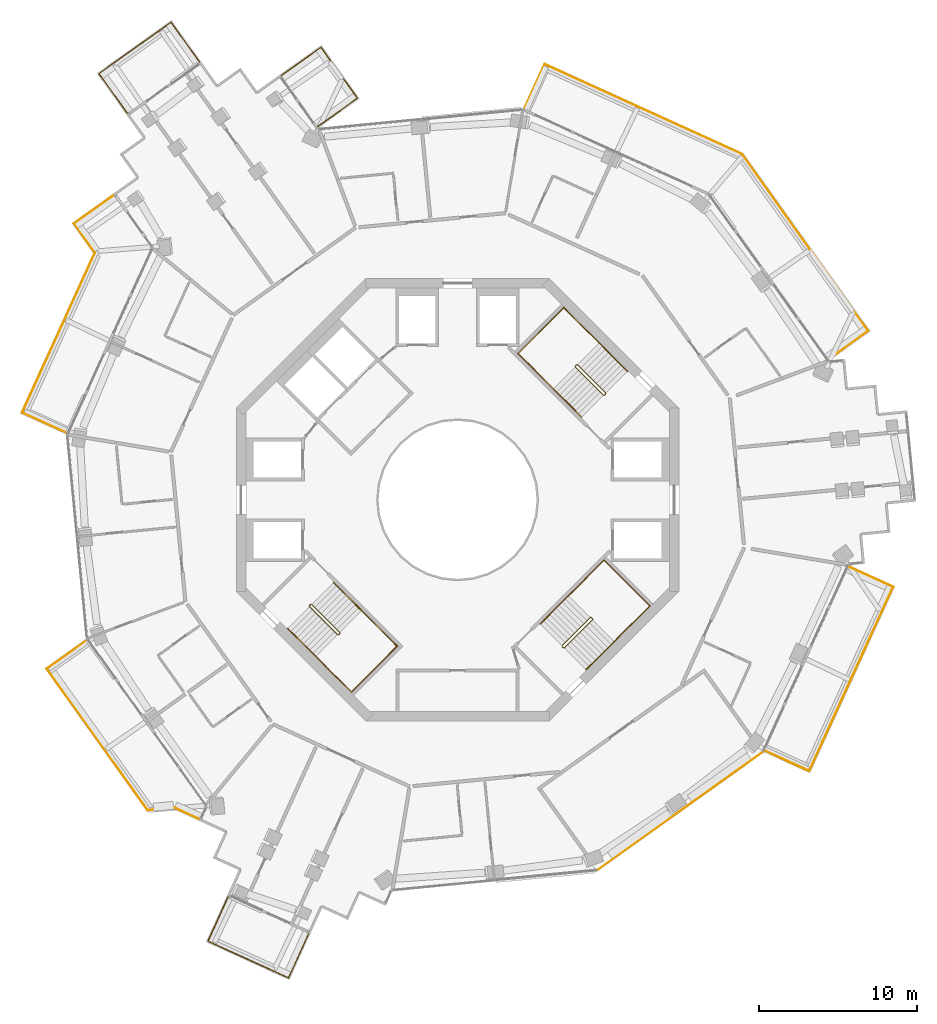
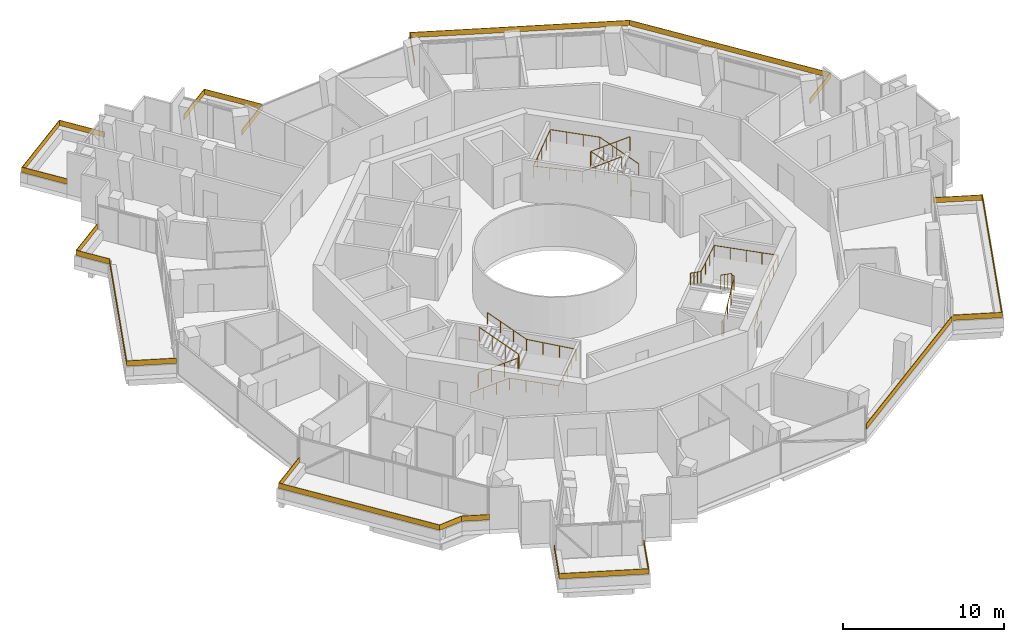
# One storey, part 22 of 22: 14 railings.
"""IFC4 building model written with IfcOpenShell, lengths in metres."""

import ifcopenshell
import ifcopenshell.guid

model = None  # the IFC model being written
_history = None  # IfcOwnerHistory: only IFC2X3 demands one
_inside = {}  # id of a spatial element -> (the spatial element, [elements in it])
_under = {}  # id of a project, library or spatial element -> (it, [spatial elements below it])
_declared = {}  # id of a project -> (the project, [libraries it declares])
_typed = {}  # id of a type object -> (the type object, [elements of that type])
_made_of = {}  # id of a material, layer set ... -> (it, [elements and type objects made of it])


def new_model(schema):
    """Start an empty IFC model of exactly this schema.

    Asked for "IFC4X3", IfcOpenShell would pick the latest addendum, in which some entities
    have other attributes; the version numbers below select the first issue.
    IFC2X3 requires an IfcOwnerHistory on every rooted entity: one is made here for all.
    """
    global model, _history
    if schema == "IFC4X3":
        model = ifcopenshell.file(schema_version=(4, 3, 0, 0))
    else:
        model = ifcopenshell.file(schema=schema)
    _inside.clear()
    _under.clear()
    _declared.clear()
    _typed.clear()
    _made_of.clear()
    _history = None
    if model.schema == "IFC2X3":
        org = make("IfcOrganization", Name="unknown")
        user = make(
            "IfcPersonAndOrganization",
            ThePerson=make("IfcPerson", FamilyName="unknown"),
            TheOrganization=org,
        )
        app = make(
            "IfcApplication",
            ApplicationDeveloper=org,
            Version="unknown",
            ApplicationFullName="unknown",
            ApplicationIdentifier="unknown",
        )
        _history = make(
            "IfcOwnerHistory",
            OwningUser=user,
            OwningApplication=app,
            ChangeAction="ADDED",
            CreationDate=0,
        )
    return model


def make(cls, **values):
    """One entity of the class cls with the attributes given. An attribute that is None is left unset."""
    return model.create_entity(
        cls, **{name: value for name, value in values.items() if value is not None}
    )


def rooted(cls, **values):
    """An entity with a GlobalId (a new one), such as an element, a storey or a relation."""
    return make(cls, GlobalId=ifcopenshell.guid.new(), OwnerHistory=_history, **values)


def si_unit(unit_type, name, prefix=None):
    """IfcSIUnit, for example si_unit("LENGTHUNIT", "METRE", prefix="MILLI")."""
    return make("IfcSIUnit", UnitType=unit_type, Prefix=prefix, Name=name)


def assignment(units):
    """IfcUnitAssignment: the units of a project."""
    return None if units is None else make("IfcUnitAssignment", Units=units)


def point(xyz):
    """IfcCartesianPoint."""
    return None if xyz is None else make("IfcCartesianPoint", Coordinates=xyz)


def direction(xyz):
    """IfcDirection."""
    return None if xyz is None else make("IfcDirection", DirectionRatios=xyz)


def frame(location, z_axis=None, x_axis=None):
    """IfcAxis2Placement3D, a coordinate frame: its origin and axes. An axis left out is left unset."""
    return make(
        "IfcAxis2Placement3D",
        Location=point(location),
        Axis=direction(z_axis),
        RefDirection=direction(x_axis),
    )


def frame_2d(location, x_axis=None):
    """IfcAxis2Placement2D, a coordinate frame in the plane: its origin and x axis."""
    return make(
        "IfcAxis2Placement2D", Location=point(location), RefDirection=direction(x_axis)
    )


def origin():
    """The frame at (0, 0, 0) with its axes left unset."""
    return frame((0.0, 0.0, 0.0))


def origin_2d():
    """The frame at (0, 0) in the plane with its x axis left unset."""
    return frame_2d((0.0, 0.0))


def place(relative_to, where):
    """IfcLocalPlacement: puts the frame where relative to a parent placement (None: the world)."""
    return make(
        "IfcLocalPlacement", PlacementRelTo=relative_to, RelativePlacement=where
    )


def context(
    kind, dimensions, precision=None, world=None, true_north=None, identifier=None
):
    """IfcGeometricRepresentationContext, for example the 3D "Model" context."""
    return make(
        "IfcGeometricRepresentationContext",
        ContextIdentifier=identifier,
        ContextType=kind,
        CoordinateSpaceDimension=dimensions,
        Precision=precision,
        WorldCoordinateSystem=world,
        TrueNorth=true_north,
    )


def subcontext(parent, identifier, kind, view, scale=None):
    """IfcGeometricRepresentationSubContext, for example "Body" below "Model"."""
    return make(
        "IfcGeometricRepresentationSubContext",
        ContextIdentifier=identifier,
        ContextType=kind,
        ParentContext=parent,
        TargetScale=scale,
        TargetView=view,
    )


def project(units=None, contexts=None):
    """IfcProject with its units and contexts."""
    return rooted(
        "IfcProject",
        Name="project",
        RepresentationContexts=contexts,
        UnitsInContext=assignment(units),
    )


def spatial(cls, under=None, at=None, **own):
    """A site, building, storey or space (cls), placed at a placement, below another one or the project."""
    s = rooted(cls, ObjectPlacement=at, **own)
    if under is not None:
        _under.setdefault(under.id(), (under, []))[1].append(s)
    return s


def polyline(points):
    """IfcPolyline through the points."""
    return make("IfcPolyline", Points=[point(p) for p in points])


def profile(cls, at=None, kind="AREA", **sizes):
    """A parametric profile (cls). Its sizes go by their IFC names, for example OverallWidth=200.0."""
    return make(cls, ProfileType=kind, Position=at, **sizes)


def rectangle(**sizes):
    """IfcRectangleProfileDef."""
    return profile("IfcRectangleProfileDef", **sizes)


def circle(**sizes):
    """IfcCircleProfileDef."""
    return profile("IfcCircleProfileDef", **sizes)


def outline(outer, holes=None, kind="AREA"):
    """IfcArbitraryClosedProfileDef: a profile drawn as a closed curve; with holes, ...WithVoids."""
    if holes is None:
        return make("IfcArbitraryClosedProfileDef", ProfileType=kind, OuterCurve=outer)
    return make(
        "IfcArbitraryProfileDefWithVoids",
        ProfileType=kind,
        OuterCurve=outer,
        InnerCurves=holes,
    )


def extrude(swept, where, along, depth):
    """IfcExtrudedAreaSolid: the profile swept, set in the frame where, extruded along a direction by depth."""
    return make(
        "IfcExtrudedAreaSolid",
        SweptArea=swept,
        Position=where,
        ExtrudedDirection=direction(along),
        Depth=depth,
    )


def shape(context_of_items, identifier, shape_type, items):
    """IfcShapeRepresentation: the items that make up one representation, for example the "Body"."""
    return make(
        "IfcShapeRepresentation",
        ContextOfItems=context_of_items,
        RepresentationIdentifier=identifier,
        RepresentationType=shape_type,
        Items=items,
    )


def material(Name=None, Category=None):
    """IfcMaterial."""
    return make("IfcMaterial", Name=Name, Category=Category)


def layer(
    of_material, thickness, ventilated=None, Name=None, Category=None, Priority=None
):
    """IfcMaterialLayer: one layer of a wall or slab, of a material (None: an air gap)."""
    return make(
        "IfcMaterialLayer",
        Material=of_material,
        LayerThickness=thickness,
        IsVentilated=ventilated,
        Name=Name,
        Category=Category,
        Priority=Priority,
    )


def layer_set(layers, Name=None):
    """IfcMaterialLayerSet."""
    return make("IfcMaterialLayerSet", MaterialLayers=layers, LayerSetName=Name)


def made_of(thing, what):
    """Note that an element or type object is made of a material, layer set ...; save() writes the relation."""
    if what is not None:
        _made_of.setdefault(what.id(), (what, []))[1].append(thing)
    return thing


def type_object(cls, material=None, **own):
    """A type object (cls), such as IfcWallType, which elements share."""
    return made_of(rooted(cls, **own), material)


def element(
    cls,
    number,
    at=None,
    inside=None,
    cuts=None,
    type_object=None,
    material=None,
    context=None,
    identifier="Body",
    shape_type=None,
    held_by="IfcProductDefinitionShape",
    body=None,
    shapes=None,
    **own,
):
    """One element of the class cls, such as IfcWall. Its Tag is "e" and its number.

    at: its placement. inside: the storey or other place that contains it. cuts: it is an
    opening in that element (IfcRelVoidsElement). A single representation is given by context,
    identifier, shape_type and body (its items); several are given by shapes. held_by: the class
    of the entity that holds the representations. save() writes the other relations.
    """
    e = rooted(cls, Tag="e%d" % number, ObjectPlacement=at, **own)
    if body is not None:
        shapes = [shape(context, identifier, shape_type, body)]
    if shapes is not None:
        e.Representation = make(held_by, Representations=shapes)
    if inside is not None:
        _inside.setdefault(inside.id(), (inside, []))[1].append(e)
    if cuts is not None:
        rooted(
            "IfcRelVoidsElement", RelatingBuildingElement=cuts, RelatedOpeningElement=e
        )
    if type_object is not None:
        _typed.setdefault(type_object.id(), (type_object, []))[1].append(e)
    return made_of(e, material)


def aggregate(whole, parts):
    """IfcRelAggregates: a whole, such as a stair, and the parts it consists of."""
    return rooted("IfcRelAggregates", RelatingObject=whole, RelatedObjects=parts)


def save(model, path):
    """Write the relations noted so far, then the file.

    IfcRelAggregates (storeys below a building ...), IfcRelContainedInSpatialStructure (elements
    in a storey), IfcRelDefinesByType, IfcRelAssociatesMaterial and IfcRelDeclares: one each for
    every whole, place, type object, material and project.
    """
    for whole, parts in _under.values():
        aggregate(whole, parts)
    for where, things in _inside.values():
        rooted(
            "IfcRelContainedInSpatialStructure",
            RelatedElements=things,
            RelatingStructure=where,
        )
    for kind, things in _typed.values():
        rooted("IfcRelDefinesByType", RelatedObjects=things, RelatingType=kind)
    for what, things in _made_of.values():
        rooted("IfcRelAssociatesMaterial", RelatedObjects=things, RelatingMaterial=what)
    for by, libraries in _declared.values():
        rooted("IfcRelDeclares", RelatingContext=by, RelatedDefinitions=libraries)
    model.write(path)


model = new_model("IFC4")

# Units and contexts
model_context = context("Model", 3, precision=1e-05, world=origin(), true_north=direction((0.0, 1.0)))
body_context = subcontext(model_context, "Body", "Model", "MODEL_VIEW")
ifc_project = project(units=[si_unit("LENGTHUNIT", "METRE"), si_unit("AREAUNIT", "SQUARE_METRE"), si_unit("VOLUMEUNIT", "CUBIC_METRE"), si_unit("PLANEANGLEUNIT", "RADIAN"), si_unit("MASSUNIT", "GRAM", prefix="KILO")], contexts=[model_context])

# Site, building, storey
site_placement = place(None, origin())
site = spatial("IfcSite", under=ifc_project, at=site_placement, CompositionType="ELEMENT")
building_placement = place(site_placement, origin())
building = spatial("IfcBuilding", under=site, at=building_placement, Name="Verdalira Terraces Hotel", CompositionType="ELEMENT")
storey_placement = place(building_placement, frame((0.0, 0.0, 180.0)))
storey = spatial("IfcBuildingStorey", under=building, at=storey_placement, Name="L43", CompositionType="ELEMENT", Elevation=180.0)

# Railings
ifc_material_1 = material(Name="Laminated glass", Category="glass")
ifc_layer = layer(ifc_material_1, 0.0400390625)
ifc_layer_set = layer_set([ifc_layer], Name="Balcony glass guard 400")
railing_type_1 = type_object("IfcRailingType", Name="Balcony glass guard 400", PredefinedType="GUARDRAIL", material=ifc_layer_set)
railing_1_placement = place(storey_placement, frame((0.0, 0.0, 0.699951)))
element("IfcRailing", 1, at=railing_1_placement, inside=storey, type_object=railing_type_1, Name="Balcony glass guard", PredefinedType="GUARDRAIL", context=body_context, shape_type="SweptSolid", body=[
    extrude(outline(polyline([(-18.132324, 30.186768), (-22.657715, 26.956543), (-20.868896, 24.450439), (-20.901367, 24.427246), (-22.713623, 26.96582), (-18.123047, 30.242676), (-16.311035, 27.704102), (-16.343506, 27.680908), (-18.132324, 30.186768)])), origin(), (0.0, 0.0, 1.0), 0.400146),
])
railing_2_placement = place(storey_placement, frame((0.0, 0.0, 0.699951)))
element("IfcRailing", 2, at=railing_2_placement, inside=storey, type_object=railing_type_1, Name="Balcony glass guard", PredefinedType="GUARDRAIL", context=body_context, shape_type="SweptSolid", body=[
    extrude(outline(polyline([(-24.241699, 17.471191), (-22.924316, 15.625732), (-27.524414, 5.521973), (-24.722168, 4.246094), (-24.73877, 4.209473), (-27.577393, 5.501953), (-22.970215, 15.621094), (-24.297363, 17.480469), (-21.758789, 19.292725), (-21.735596, 19.26001), (-24.241699, 17.471191)])), origin(), (0.0, 0.0, 1.0), 0.400146),
])
railing_3_placement = place(storey_placement, frame((0.0, 0.0, 0.699951)))
element("IfcRailing", 3, at=railing_3_placement, inside=storey, type_object=railing_type_1, Name="Balcony glass guard", PredefinedType="GUARDRAIL", context=body_context, shape_type="SweptSolid", body=[
    extrude(outline(polyline([(-25.957764, -10.69043), (-19.588135, -19.613525), (-17.937988, -19.454102), (-16.333252, -20.18457), (-16.349854, -20.221191), (-17.944824, -19.494873), (-19.607422, -19.655518), (-26.013428, -10.681152), (-23.474854, -8.869141), (-23.45166, -8.901611), (-25.957764, -10.69043)])), origin(), (0.0, 0.0, 1.0), 0.400146),
])
railing_4_placement = place(storey_placement, frame((0.0, 0.0, 0.699951)))
element("IfcRailing", 4, at=railing_4_placement, inside=storey, type_object=railing_type_1, Name="Balcony glass guard", PredefinedType="GUARDRAIL", context=body_context, shape_type="SweptSolid", body=[
    extrude(outline(polyline([(-15.764648, -27.915283), (-10.704346, -30.219238), (-9.428467, -27.416992), (-9.39209, -27.433594), (-10.68457, -30.272217), (-15.817627, -27.935059), (-14.525146, -25.096436), (-14.48877, -25.113037), (-15.764648, -27.915283)])), origin(), (0.0, 0.0, 1.0), 0.400146),
])
railing_5_placement = place(storey_placement, frame((0.0, 0.0, 0.699951)))
element("IfcRailing", 5, at=railing_5_placement, inside=storey, type_object=railing_type_1, Name="Balcony glass guard", PredefinedType="GUARDRAIL", context=body_context, shape_type="SweptSolid", body=[
    extrude(outline(polyline([(22.237061, -17.134766), (27.524414, -5.521973), (24.722168, -4.246094), (24.73877, -4.209473), (27.577393, -5.501953), (22.256836, -17.187744), (19.418213, -15.895264), (19.434814, -15.858887), (22.237061, -17.134766)])), origin(), (0.0, 0.0, 1.0), 0.400146),
])
railing_6_placement = place(storey_placement, frame((0.0, 0.0, 0.699951)))
element("IfcRailing", 6, at=railing_6_placement, inside=storey, type_object=railing_type_1, Name="Balcony glass guard", PredefinedType="GUARDRAIL", context=body_context, shape_type="SweptSolid", body=[
    extrude(outline(polyline([(25.957764, 10.69043), (17.995117, 21.845459), (5.521973, 27.524414), (4.246094, 24.722168), (4.209473, 24.73877), (5.501953, 27.577393), (18.021484, 21.877441), (26.013428, 10.681152), (23.474854, 8.869141), (23.45166, 8.901611), (25.957764, 10.69043)])), origin(), (0.0, 0.0, 1.0), 0.400146),
])
railing_7_placement = place(storey_placement, frame((0.0, 0.0, 0.699951)))
element("IfcRailing", 7, at=railing_7_placement, inside=storey, type_object=railing_type_1, Name="Balcony glass guard", PredefinedType="GUARDRAIL", context=body_context, shape_type="SweptSolid", body=[
    extrude(outline(polyline([(-6.366211, 25.407715), (-8.646973, 28.603027), (-11.153076, 26.814209), (-11.17627, 26.84668), (-8.637695, 28.658691), (-6.310303, 25.398438), (-8.849121, 23.586182), (-8.872314, 23.618896), (-6.366211, 25.407715)])), origin(), (0.0, 0.0, 1.0), 0.400146),
])
railing_8_placement = place(storey_placement, frame((14.064697, -19.703369, 0.699951), z_axis=(0.0, 0.0, 1.0), x_axis=(0.813912765, 0.5809871, 0.0)))
element("IfcRailing", 8, at=railing_8_placement, inside=storey, type_object=railing_type_1, Name="Loggia glass guard", PredefinedType="GUARDRAIL", context=body_context, shape_type="SweptSolid", body=[
    extrude(rectangle(XDim=12.840088, YDim=0.040039, at=origin_2d()), origin(), (0.0, 0.0, 1.0), 0.399902),
])
ifc_material_2 = material(Name="Stainless steel", Category="steel")
railing_type_2 = type_object("IfcRailingType", Name="Stair guard 1100", PredefinedType="GUARDRAIL", material=ifc_material_2)
railing_9_placement = place(storey_placement, frame((9.369141, 6.682129, 0.0)))
element("IfcRailing", 9, at=railing_9_placement, inside=storey, type_object=railing_type_2, Name="L43 ST1 stair guard 1", PredefinedType="GUARDRAIL", context=body_context, shape_type="SweptSolid", body=[
    extrude(circle(Radius=0.023926, at=origin_2d()), frame((0.0, 0.0, 1.076172), z_axis=(-0.707106781, -0.707106781, 0.0), x_axis=(0.707106781, -0.707106781, 0.0)), (0.0, 0.0, 1.0), 0.100098),
    extrude(circle(Radius=0.023926, at=origin_2d()), frame((-0.070801, -0.070801, 1.076172), z_axis=(0.299976798, 0.599953596, 0.741666773), x_axis=(-0.894427191, 0.447213596, 0.0)), (0.0, 0.0, 1.0), 0.236084),
    extrude(circle(Radius=0.023926, at=origin_2d()), frame((0.0, 0.070801, 1.250977), z_axis=(-0.599667044, 0.599584886, 0.529997548), x_axis=(-0.707058338, -0.707155221, 0.0)), (0.0, 0.0, 1.0), 2.97168),
    extrude(circle(Radius=0.023926, at=origin_2d()), frame((-1.781982, 1.852539, 2.826172), z_axis=(-1.0, 0.0, 0.0), x_axis=(0.0, -1.0, 0.0)), (0.0, 0.0, 1.0), 0.070557),
    extrude(circle(Radius=0.023926, at=origin_2d()), frame((-1.852539, 1.852539, 2.826172), z_axis=(-0.70832698, -0.705884473, 0.0), x_axis=(0.705884473, -0.70832698, 0.0)), (0.0, 0.0, 1.0), 0.099854),
    extrude(circle(Radius=0.023926, at=origin_2d()), frame((-1.92334, 1.781982, 2.826172), z_axis=(0.0, -0.374954687, 0.92704314), x_axis=(1.0, 0.0, 0.0)), (0.0, 0.0, 1.0), 0.188721),
    extrude(circle(Radius=0.023926, at=origin_2d()), frame((-1.92334, 1.711182, 3.000977), z_axis=(0.599637504, -0.599637504, 0.52997144), x_axis=(0.707106781, 0.707106781, 0.0)), (0.0, 0.0, 1.0), 2.97168),
    extrude(circle(Radius=0.020996, at=origin_2d()), origin(), (0.0, 0.0, 1.0), 1.052002),
    extrude(circle(Radius=0.020996, at=origin_2d()), frame((-0.070801, -0.070801, 0.0)), (0.0, 0.0, 1.0), 1.052002),
    extrude(circle(Radius=0.020996, at=origin_2d()), frame((0.0, 0.070801, 0.175049)), (0.0, 0.0, 1.0), 1.052002),
    extrude(circle(Radius=0.020996, at=origin_2d()), frame((-0.593994, 0.664795, 0.699951)), (0.0, 0.0, 1.0), 1.052002),
    extrude(circle(Radius=0.020996, at=origin_2d()), frame((-1.187988, 1.258545, 1.225098)), (0.0, 0.0, 1.0), 1.052002),
    extrude(circle(Radius=0.020996, at=origin_2d()), frame((-1.781982, 1.852539, 1.75)), (0.0, 0.0, 1.0), 1.052002),
    extrude(circle(Radius=0.020996, at=origin_2d()), frame((-1.852539, 1.852539, 1.75)), (0.0, 0.0, 1.0), 1.052002),
    extrude(circle(Radius=0.020996, at=origin_2d()), frame((-1.92334, 1.781982, 1.75)), (0.0, 0.0, 1.0), 1.052002),
    extrude(circle(Radius=0.020996, at=origin_2d()), frame((-1.92334, 1.711182, 1.925049)), (0.0, 0.0, 1.0), 1.052002),
    extrude(circle(Radius=0.020996, at=origin_2d()), frame((-1.329346, 1.117188, 2.449951)), (0.0, 0.0, 1.0), 1.052002),
    extrude(circle(Radius=0.020996, at=origin_2d()), frame((-0.735352, 0.523193, 2.975098)), (0.0, 0.0, 1.0), 1.052002),
    extrude(circle(Radius=0.020996, at=origin_2d()), frame((-0.141357, -0.070801, 3.5)), (0.0, 0.0, 1.0), 1.052002),
])
railing_10_placement = place(storey_placement, frame((-9.369141, -6.682129, 0.0)))
element("IfcRailing", 10, at=railing_10_placement, inside=storey, type_object=railing_type_2, Name="L43 ST2 stair guard 1", PredefinedType="GUARDRAIL", context=body_context, shape_type="SweptSolid", body=[
    extrude(circle(Radius=0.023926, at=origin_2d()), frame((0.0, 0.0, 1.076172), z_axis=(0.707106781, 0.707106781, 0.0), x_axis=(-0.707106781, 0.707106781, 0.0)), (0.0, 0.0, 1.0), 0.100098),
    extrude(circle(Radius=0.023926, at=origin_2d()), frame((0.070801, 0.070801, 1.076172), z_axis=(-0.299976798, -0.599953596, 0.741666773), x_axis=(0.894427191, -0.447213596, 0.0)), (0.0, 0.0, 1.0), 0.236084),
    extrude(circle(Radius=0.023926, at=origin_2d()), frame((0.0, -0.070801, 1.250977), z_axis=(0.599667044, -0.599584886, 0.529997548), x_axis=(0.707058338, 0.707155221, 0.0)), (0.0, 0.0, 1.0), 2.97168),
    extrude(circle(Radius=0.023926, at=origin_2d()), frame((1.781982, -1.852539, 2.826172), z_axis=(1.0, 0.0, 0.0), x_axis=(0.0, 1.0, 0.0)), (0.0, 0.0, 1.0), 0.070557),
    extrude(circle(Radius=0.023926, at=origin_2d()), frame((1.852539, -1.852539, 2.826172), z_axis=(0.70832698, 0.705884473, 0.0), x_axis=(-0.705884473, 0.70832698, 0.0)), (0.0, 0.0, 1.0), 0.099854),
    extrude(circle(Radius=0.023926, at=origin_2d()), frame((1.92334, -1.781982, 2.826172), z_axis=(0.0, 0.374954687, 0.92704314), x_axis=(-1.0, 0.0, 0.0)), (0.0, 0.0, 1.0), 0.188721),
    extrude(circle(Radius=0.023926, at=origin_2d()), frame((1.92334, -1.711182, 3.000977), z_axis=(-0.599637504, 0.599637504, 0.52997144), x_axis=(-0.707106781, -0.707106781, 0.0)), (0.0, 0.0, 1.0), 2.97168),
    extrude(circle(Radius=0.020996, at=origin_2d()), origin(), (0.0, 0.0, 1.0), 1.052002),
    extrude(circle(Radius=0.020996, at=origin_2d()), frame((0.070801, 0.070801, 0.0)), (0.0, 0.0, 1.0), 1.052002),
    extrude(circle(Radius=0.020996, at=origin_2d()), frame((0.0, -0.070801, 0.175049)), (0.0, 0.0, 1.0), 1.052002),
    extrude(circle(Radius=0.020996, at=origin_2d()), frame((0.593994, -0.664795, 0.699951)), (0.0, 0.0, 1.0), 1.052002),
    extrude(circle(Radius=0.020996, at=origin_2d()), frame((1.187988, -1.258545, 1.225098)), (0.0, 0.0, 1.0), 1.052002),
    extrude(circle(Radius=0.020996, at=origin_2d()), frame((1.781982, -1.852539, 1.75)), (0.0, 0.0, 1.0), 1.052002),
    extrude(circle(Radius=0.020996, at=origin_2d()), frame((1.852539, -1.852539, 1.75)), (0.0, 0.0, 1.0), 1.052002),
    extrude(circle(Radius=0.020996, at=origin_2d()), frame((1.92334, -1.781982, 1.75)), (0.0, 0.0, 1.0), 1.052002),
    extrude(circle(Radius=0.020996, at=origin_2d()), frame((1.92334, -1.711182, 1.925049)), (0.0, 0.0, 1.0), 1.052002),
    extrude(circle(Radius=0.020996, at=origin_2d()), frame((1.329346, -1.117188, 2.449951)), (0.0, 0.0, 1.0), 1.052002),
    extrude(circle(Radius=0.020996, at=origin_2d()), frame((0.735352, -0.523193, 2.975098)), (0.0, 0.0, 1.0), 1.052002),
    extrude(circle(Radius=0.020996, at=origin_2d()), frame((0.141357, 0.070801, 3.5)), (0.0, 0.0, 1.0), 1.052002),
])
railing_11_placement = place(storey_placement, frame((6.682129, -9.369141, 0.0)))
element("IfcRailing", 11, at=railing_11_placement, inside=storey, type_object=railing_type_2, Name="L43 ST3 stair guard 1", PredefinedType="GUARDRAIL", context=body_context, shape_type="SweptSolid", body=[
    extrude(circle(Radius=0.023926, at=origin_2d()), frame((0.0, 0.0, 1.076172), z_axis=(-0.707106781, 0.707106781, 0.0), x_axis=(-0.707106781, -0.707106781, 0.0)), (0.0, 0.0, 1.0), 0.100098),
    extrude(circle(Radius=0.023926, at=origin_2d()), frame((-0.070801, 0.070801, 1.076172), z_axis=(0.599953596, -0.299976798, 0.741666773), x_axis=(0.447213596, 0.894427191, 0.0)), (0.0, 0.0, 1.0), 0.236084),
    extrude(circle(Radius=0.023926, at=origin_2d()), frame((0.070801, 0.0, 1.250977), z_axis=(0.599584886, 0.599667044, 0.529997548), x_axis=(-0.707155221, 0.707058338, 0.0)), (0.0, 0.0, 1.0), 2.97168),
    extrude(circle(Radius=0.023926, at=origin_2d()), frame((1.852539, 1.781982, 2.826172), z_axis=(0.0, 1.0, 0.0), x_axis=(-1.0, 0.0, 0.0)), (0.0, 0.0, 1.0), 0.070557),
    extrude(circle(Radius=0.023926, at=origin_2d()), frame((1.852539, 1.852539, 2.826172), z_axis=(-0.705884473, 0.70832698, 0.0), x_axis=(-0.70832698, -0.705884473, 0.0)), (0.0, 0.0, 1.0), 0.099854),
    extrude(circle(Radius=0.023926, at=origin_2d()), frame((1.781982, 1.92334, 2.826172), z_axis=(-0.374954687, 0.0, 0.92704314), x_axis=(0.0, -1.0, 0.0)), (0.0, 0.0, 1.0), 0.188721),
    extrude(circle(Radius=0.023926, at=origin_2d()), frame((1.711182, 1.92334, 3.000977), z_axis=(-0.599637504, -0.599637504, 0.52997144), x_axis=(0.707106781, -0.707106781, 0.0)), (0.0, 0.0, 1.0), 2.97168),
    extrude(circle(Radius=0.020996, at=origin_2d()), origin(), (0.0, 0.0, 1.0), 1.052002),
    extrude(circle(Radius=0.020996, at=origin_2d()), frame((-0.070801, 0.070801, 0.0)), (0.0, 0.0, 1.0), 1.052002),
    extrude(circle(Radius=0.020996, at=origin_2d()), frame((0.070801, 0.0, 0.175049)), (0.0, 0.0, 1.0), 1.052002),
    extrude(circle(Radius=0.020996, at=origin_2d()), frame((0.664795, 0.593994, 0.699951)), (0.0, 0.0, 1.0), 1.052002),
    extrude(circle(Radius=0.020996, at=origin_2d()), frame((1.258545, 1.187988, 1.225098)), (0.0, 0.0, 1.0), 1.052002),
    extrude(circle(Radius=0.020996, at=origin_2d()), frame((1.852539, 1.781982, 1.75)), (0.0, 0.0, 1.0), 1.052002),
    extrude(circle(Radius=0.020996, at=origin_2d()), frame((1.852539, 1.852539, 1.75)), (0.0, 0.0, 1.0), 1.052002),
    extrude(circle(Radius=0.020996, at=origin_2d()), frame((1.781982, 1.92334, 1.75)), (0.0, 0.0, 1.0), 1.052002),
    extrude(circle(Radius=0.020996, at=origin_2d()), frame((1.711182, 1.92334, 1.925049)), (0.0, 0.0, 1.0), 1.052002),
    extrude(circle(Radius=0.020996, at=origin_2d()), frame((1.117188, 1.329346, 2.449951)), (0.0, 0.0, 1.0), 1.052002),
    extrude(circle(Radius=0.020996, at=origin_2d()), frame((0.523193, 0.735352, 2.975098)), (0.0, 0.0, 1.0), 1.052002),
    extrude(circle(Radius=0.020996, at=origin_2d()), frame((-0.070801, 0.141357, 3.5)), (0.0, 0.0, 1.0), 1.052002),
])
ifc_material_3 = material(Name="Stainless steel", Category="steel")
railing_type_3 = type_object("IfcRailingType", Name="Stair handrail 900", PredefinedType="HANDRAIL", material=ifc_material_3)
railing_12_placement = place(storey_placement, frame((10.748047, 8.131836, 0.175049)))
element("IfcRailing", 12, at=railing_12_placement, inside=storey, type_object=railing_type_3, Name="L43 ST1 stair handrail 1", PredefinedType="HANDRAIL", context=body_context, shape_type="SweptSolid", body=[
    extrude(circle(Radius=0.023926, at=origin_2d()), frame((0.0, 0.0, 0.875977), z_axis=(-0.599667044, 0.599584886, 0.529997548), x_axis=(-0.707058338, -0.707155221, 0.0)), (0.0, 0.0, 1.0), 2.97168),
    extrude(circle(Radius=0.023926, at=origin_2d()), frame((-1.781982, 1.781738, 2.450684), z_axis=(-0.707068394, 0.707145166, 0.0), x_axis=(-0.707145166, -0.707068394, 0.0)), (0.0, 0.0, 1.0), 3.180176),
    extrude(circle(Radius=0.023926, at=origin_2d()), frame((-4.030518, 4.030518, 2.450684), z_axis=(-0.707106781, -0.707106781, 0.0), x_axis=(0.707106781, -0.707106781, 0.0)), (0.0, 0.0, 1.0), 4.100098),
    extrude(circle(Radius=0.023926, at=origin_2d()), frame((-6.929688, 1.131348, 2.450684), z_axis=(0.705999616, -0.706076271, 0.054962185), x_axis=(0.707145166, 0.707068394, 0.0)), (0.0, 0.0, 1.0), 3.184814),
    extrude(circle(Radius=0.023926, at=origin_2d()), frame((-4.681152, -1.117432, 2.625977), z_axis=(0.599667044, -0.599584886, 0.529997548), x_axis=(0.707058338, 0.707155221, 0.0)), (0.0, 0.0, 1.0), 2.97168),
    extrude(circle(Radius=0.020996, at=origin_2d()), origin(), (0.0, 0.0, 1.0), 0.851807),
    extrude(circle(Radius=0.020996, at=origin_2d()), frame((-0.593994, 0.593994, 0.524902)), (0.0, 0.0, 1.0), 0.851807),
    extrude(circle(Radius=0.020996, at=origin_2d()), frame((-1.187988, 1.187744, 1.050049)), (0.0, 0.0, 1.0), 0.851807),
    extrude(circle(Radius=0.020996, at=origin_2d()), frame((-1.781982, 1.781738, 1.574951)), (0.0, 0.0, 1.0), 0.851807),
    extrude(circle(Radius=0.020996, at=origin_2d()), frame((-2.531494, 2.53125, 1.574951)), (0.0, 0.0, 1.0), 0.851807),
    extrude(circle(Radius=0.020996, at=origin_2d()), frame((-3.281006, 3.281006, 1.574951)), (0.0, 0.0, 1.0), 0.851807),
    extrude(circle(Radius=0.020996, at=origin_2d()), frame((-4.030518, 4.030518, 1.574951)), (0.0, 0.0, 1.0), 0.851807),
    extrude(circle(Radius=0.020996, at=origin_2d()), frame((-4.755371, 3.305664, 1.574951)), (0.0, 0.0, 1.0), 0.851807),
    extrude(circle(Radius=0.020996, at=origin_2d()), frame((-5.47998, 2.581055, 1.574951)), (0.0, 0.0, 1.0), 0.851807),
    extrude(circle(Radius=0.020996, at=origin_2d()), frame((-6.204834, 1.856201, 1.574951)), (0.0, 0.0, 1.0), 0.851807),
    extrude(circle(Radius=0.020996, at=origin_2d()), frame((-6.929688, 1.131348, 1.574951)), (0.0, 0.0, 1.0), 0.851807),
    extrude(circle(Radius=0.020996, at=origin_2d()), frame((-6.180176, 0.381836, 1.633301)), (0.0, 0.0, 1.0), 0.851807),
    extrude(circle(Radius=0.020996, at=origin_2d()), frame((-5.430664, -0.36792, 1.69165)), (0.0, 0.0, 1.0), 0.851807),
    extrude(circle(Radius=0.020996, at=origin_2d()), frame((-4.681152, -1.117432, 1.75)), (0.0, 0.0, 1.0), 0.851807),
    extrude(circle(Radius=0.020996, at=origin_2d()), frame((-4.087158, -1.711426, 2.274902)), (0.0, 0.0, 1.0), 0.851807),
    extrude(circle(Radius=0.020996, at=origin_2d()), frame((-3.493164, -2.305176, 2.800049)), (0.0, 0.0, 1.0), 0.851807),
    extrude(circle(Radius=0.020996, at=origin_2d()), frame((-2.89917, -2.89917, 3.324951)), (0.0, 0.0, 1.0), 0.851807),
])
railing_13_placement = place(storey_placement, frame((-10.748047, -8.131836, 0.175049)))
element("IfcRailing", 13, at=railing_13_placement, inside=storey, type_object=railing_type_3, Name="L43 ST2 stair handrail 1", PredefinedType="HANDRAIL", context=body_context, shape_type="SweptSolid", body=[
    extrude(circle(Radius=0.023926, at=origin_2d()), frame((0.0, 0.0, 0.875977), z_axis=(0.599667044, -0.599584886, 0.529997548), x_axis=(0.707058338, 0.707155221, 0.0)), (0.0, 0.0, 1.0), 2.97168),
    extrude(circle(Radius=0.023926, at=origin_2d()), frame((1.781982, -1.781738, 2.450684), z_axis=(0.707068394, -0.707145166, 0.0), x_axis=(0.707145166, 0.707068394, 0.0)), (0.0, 0.0, 1.0), 3.180176),
    extrude(circle(Radius=0.023926, at=origin_2d()), frame((4.030518, -4.030518, 2.450684), z_axis=(0.707106781, 0.707106781, 0.0), x_axis=(-0.707106781, 0.707106781, 0.0)), (0.0, 0.0, 1.0), 4.100098),
    extrude(circle(Radius=0.023926, at=origin_2d()), frame((6.929688, -1.131348, 2.450684), z_axis=(-0.705999616, 0.706076271, 0.054962185), x_axis=(-0.707145166, -0.707068394, 0.0)), (0.0, 0.0, 1.0), 3.184814),
    extrude(circle(Radius=0.023926, at=origin_2d()), frame((4.681152, 1.117432, 2.625977), z_axis=(-0.599667044, 0.599584886, 0.529997548), x_axis=(-0.707058338, -0.707155221, 0.0)), (0.0, 0.0, 1.0), 2.97168),
    extrude(circle(Radius=0.020996, at=origin_2d()), origin(), (0.0, 0.0, 1.0), 0.851807),
    extrude(circle(Radius=0.020996, at=origin_2d()), frame((0.593994, -0.593994, 0.524902)), (0.0, 0.0, 1.0), 0.851807),
    extrude(circle(Radius=0.020996, at=origin_2d()), frame((1.187988, -1.187744, 1.050049)), (0.0, 0.0, 1.0), 0.851807),
    extrude(circle(Radius=0.020996, at=origin_2d()), frame((1.781982, -1.781738, 1.574951)), (0.0, 0.0, 1.0), 0.851807),
    extrude(circle(Radius=0.020996, at=origin_2d()), frame((2.531494, -2.53125, 1.574951)), (0.0, 0.0, 1.0), 0.851807),
    extrude(circle(Radius=0.020996, at=origin_2d()), frame((3.281006, -3.281006, 1.574951)), (0.0, 0.0, 1.0), 0.851807),
    extrude(circle(Radius=0.020996, at=origin_2d()), frame((4.030518, -4.030518, 1.574951)), (0.0, 0.0, 1.0), 0.851807),
    extrude(circle(Radius=0.020996, at=origin_2d()), frame((4.755371, -3.305664, 1.574951)), (0.0, 0.0, 1.0), 0.851807),
    extrude(circle(Radius=0.020996, at=origin_2d()), frame((5.47998, -2.581055, 1.574951)), (0.0, 0.0, 1.0), 0.851807),
    extrude(circle(Radius=0.020996, at=origin_2d()), frame((6.204834, -1.856201, 1.574951)), (0.0, 0.0, 1.0), 0.851807),
    extrude(circle(Radius=0.020996, at=origin_2d()), frame((6.929688, -1.131348, 1.574951)), (0.0, 0.0, 1.0), 0.851807),
    extrude(circle(Radius=0.020996, at=origin_2d()), frame((6.180176, -0.381836, 1.633301)), (0.0, 0.0, 1.0), 0.851807),
    extrude(circle(Radius=0.020996, at=origin_2d()), frame((5.430664, 0.36792, 1.69165)), (0.0, 0.0, 1.0), 0.851807),
    extrude(circle(Radius=0.020996, at=origin_2d()), frame((4.681152, 1.117432, 1.75)), (0.0, 0.0, 1.0), 0.851807),
    extrude(circle(Radius=0.020996, at=origin_2d()), frame((4.087158, 1.711426, 2.274902)), (0.0, 0.0, 1.0), 0.851807),
    extrude(circle(Radius=0.020996, at=origin_2d()), frame((3.493164, 2.305176, 2.800049)), (0.0, 0.0, 1.0), 0.851807),
    extrude(circle(Radius=0.020996, at=origin_2d()), frame((2.89917, 2.89917, 3.324951)), (0.0, 0.0, 1.0), 0.851807),
])
railing_14_placement = place(storey_placement, frame((8.131836, -10.748047, 0.175049)))
element("IfcRailing", 14, at=railing_14_placement, inside=storey, type_object=railing_type_3, Name="L43 ST3 stair handrail 1", PredefinedType="HANDRAIL", context=body_context, shape_type="SweptSolid", body=[
    extrude(circle(Radius=0.023926, at=origin_2d()), frame((0.0, 0.0, 0.875977), z_axis=(0.599584886, 0.599667044, 0.529997548), x_axis=(-0.707155221, 0.707058338, 0.0)), (0.0, 0.0, 1.0), 2.97168),
    extrude(circle(Radius=0.023926, at=origin_2d()), frame((1.781738, 1.781982, 2.450684), z_axis=(0.707145166, 0.707068394, 0.0), x_axis=(-0.707068394, 0.707145166, 0.0)), (0.0, 0.0, 1.0), 3.180176),
    extrude(circle(Radius=0.023926, at=origin_2d()), frame((4.030518, 4.030518, 2.450684), z_axis=(-0.707106781, 0.707106781, 0.0), x_axis=(-0.707106781, -0.707106781, 0.0)), (0.0, 0.0, 1.0), 4.100098),
    extrude(circle(Radius=0.023926, at=origin_2d()), frame((1.131348, 6.929688, 2.450684), z_axis=(-0.706076271, -0.705999616, 0.054962185), x_axis=(0.707068394, -0.707145166, 0.0)), (0.0, 0.0, 1.0), 3.184814),
    extrude(circle(Radius=0.023926, at=origin_2d()), frame((-1.117432, 4.681152, 2.625977), z_axis=(-0.599584886, -0.599667044, 0.529997548), x_axis=(0.707155221, -0.707058338, 0.0)), (0.0, 0.0, 1.0), 2.97168),
    extrude(circle(Radius=0.020996, at=origin_2d()), origin(), (0.0, 0.0, 1.0), 0.851807),
    extrude(circle(Radius=0.020996, at=origin_2d()), frame((0.593994, 0.593994, 0.524902)), (0.0, 0.0, 1.0), 0.851807),
    extrude(circle(Radius=0.020996, at=origin_2d()), frame((1.187744, 1.187988, 1.050049)), (0.0, 0.0, 1.0), 0.851807),
    extrude(circle(Radius=0.020996, at=origin_2d()), frame((1.781738, 1.781982, 1.574951)), (0.0, 0.0, 1.0), 0.851807),
    extrude(circle(Radius=0.020996, at=origin_2d()), frame((2.53125, 2.531494, 1.574951)), (0.0, 0.0, 1.0), 0.851807),
    extrude(circle(Radius=0.020996, at=origin_2d()), frame((3.281006, 3.281006, 1.574951)), (0.0, 0.0, 1.0), 0.851807),
    extrude(circle(Radius=0.020996, at=origin_2d()), frame((4.030518, 4.030518, 1.574951)), (0.0, 0.0, 1.0), 0.851807),
    extrude(circle(Radius=0.020996, at=origin_2d()), frame((3.305664, 4.755371, 1.574951)), (0.0, 0.0, 1.0), 0.851807),
    extrude(circle(Radius=0.020996, at=origin_2d()), frame((2.581055, 5.47998, 1.574951)), (0.0, 0.0, 1.0), 0.851807),
    extrude(circle(Radius=0.020996, at=origin_2d()), frame((1.856201, 6.204834, 1.574951)), (0.0, 0.0, 1.0), 0.851807),
    extrude(circle(Radius=0.020996, at=origin_2d()), frame((1.131348, 6.929688, 1.574951)), (0.0, 0.0, 1.0), 0.851807),
    extrude(circle(Radius=0.020996, at=origin_2d()), frame((0.381836, 6.180176, 1.633301)), (0.0, 0.0, 1.0), 0.851807),
    extrude(circle(Radius=0.020996, at=origin_2d()), frame((-0.36792, 5.430664, 1.69165)), (0.0, 0.0, 1.0), 0.851807),
    extrude(circle(Radius=0.020996, at=origin_2d()), frame((-1.117432, 4.681152, 1.75)), (0.0, 0.0, 1.0), 0.851807),
    extrude(circle(Radius=0.020996, at=origin_2d()), frame((-1.711426, 4.087158, 2.274902)), (0.0, 0.0, 1.0), 0.851807),
    extrude(circle(Radius=0.020996, at=origin_2d()), frame((-2.305176, 3.493164, 2.800049)), (0.0, 0.0, 1.0), 0.851807),
    extrude(circle(Radius=0.020996, at=origin_2d()), frame((-2.89917, 2.89917, 3.324951)), (0.0, 0.0, 1.0), 0.851807),
])

save(model, "model.ifc")
